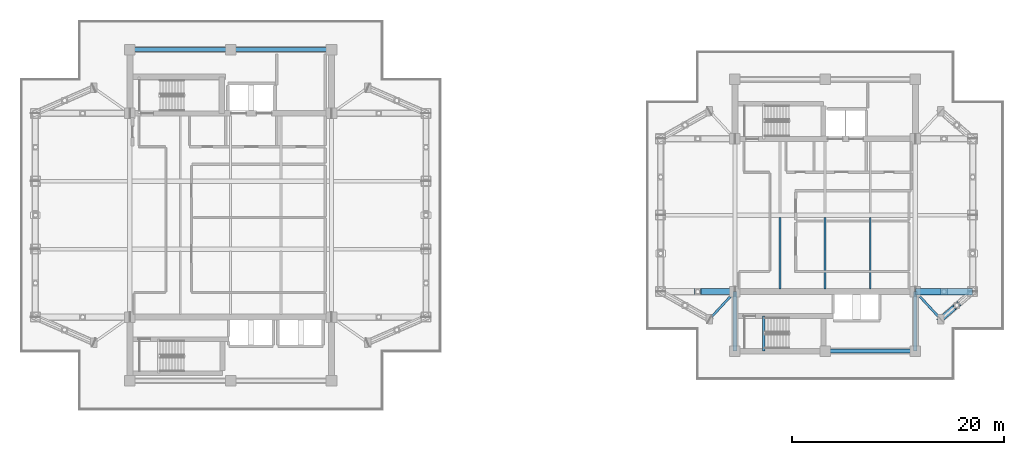
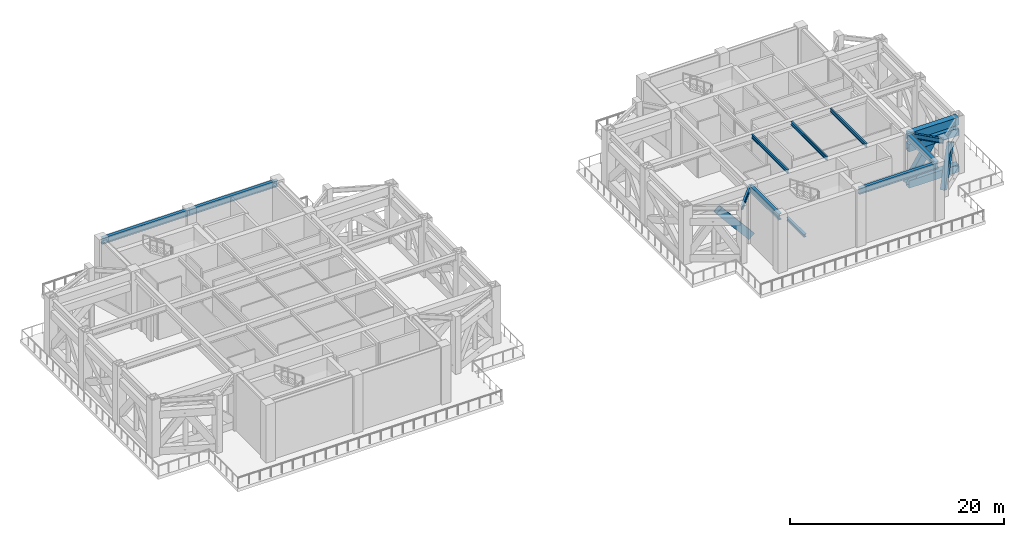
# One storey, part 4 of 18: 12 beams, 5 members.
"""IFC4 building model written with IfcOpenShell, lengths in metres."""

from ifc_helpers import new_model, si_unit, direction, frame, origin, origin_2d, place, context, subcontext, project, spatial, rectangle, hollow_rectangle, i_section, extrude, material, material_profile, profile_set, type_object, element, save


model = new_model("IFC4")

# Units and contexts
model_context = context("Model", 3, precision=1e-05, world=origin(), true_north=direction((0.0, 1.0)))
body_context = subcontext(model_context, "Body", "Model", "MODEL_VIEW")
ifc_project = project(units=[si_unit("LENGTHUNIT", "METRE"), si_unit("AREAUNIT", "SQUARE_METRE"), si_unit("VOLUMEUNIT", "CUBIC_METRE"), si_unit("PLANEANGLEUNIT", "RADIAN"), si_unit("MASSUNIT", "GRAM", prefix="KILO")], contexts=[model_context])

# Site, building, storey
site_placement = place(None, origin())
site = spatial("IfcSite", under=ifc_project, at=site_placement, CompositionType="ELEMENT")
building_placement = place(site_placement, origin())
building = spatial("IfcBuilding", under=site, at=building_placement, Name="Mirazonda Arch Towers", CompositionType="ELEMENT")
storey_placement = place(building_placement, frame((0.0, 0.0, 147.800048828125)))
storey = spatial("IfcBuildingStorey", under=building, at=storey_placement, Name="L42", CompositionType="ELEMENT", Elevation=147.800048828125)

# Beams
ifc_material_1 = material(Name="Steel ASTM A992 Grade 50", Category="steel")
ifc_material_profile_1 = material_profile(ifc_material_1, i_section(OverallWidth=0.257080078125, OverallDepth=0.330078125, WebThickness=0.011962890625, FlangeThickness=0.01953125, at=origin_2d()), Name="W10X68")
ifc_profile_set_1 = profile_set([ifc_material_profile_1], Name="Steel ASTM A992 Grade 50")
beam_type_1 = type_object("IfcBeamType", Name="BM-INT-W10X68", PredefinedType="BEAM", material=ifc_profile_set_1)
beam_1_placement = place(storey_placement, frame((70.719970703125, 15.199951171875, 2.93505859375), z_axis=(0.0, 1.0, 0.0), x_axis=(-1.0, 0.0, 0.0)))
element("IfcBeam", 1, at=beam_1_placement, inside=storey, type_object=beam_type_1, Name="L42 ST-T2S Landing Trimmer Beam", PredefinedType="BEAM", context=body_context, shape_type="SweptSolid", body=[
    extrude(i_section(OverallWidth=0.257080078125, OverallDepth=0.330078125, WebThickness=0.011962890625, FlangeThickness=0.01953125, at=origin_2d()), origin(), (0.0, 0.0, 1.0), 3.300048828125),
])
ifc_material_profile_2 = material_profile(ifc_material_1, i_section(OverallWidth=0.180908203125, OverallDepth=0.4169921875, WebThickness=0.010986328125, FlangeThickness=0.018310546875, at=origin_2d()), Name="W16X57")
ifc_profile_set_2 = profile_set([ifc_material_profile_2], Name="Steel ASTM A992 Grade 50")
beam_type_2 = type_object("IfcBeamType", Name="BM-INT-W16X57", PredefinedType="JOIST", material=ifc_profile_set_2)
for number, where, z_axis, x_axis, name in (
    (2, (72.25, 21.0400390625, 6.19140625), (0.0, 1.0, 0.0), (-1.0, 0.0, 0.0), "L42 Floor Beam BM-T2-L42-J-722-20"),
    (3, (76.5, 21.0400390625, 6.19140625), (0.0, 1.0, 0.0), (-1.0, 0.0, 0.0), "L42 Floor Beam BM-T2-L42-J-765-20"),
    (4, (80.75, 21.0400390625, 6.19140625), (0.0, 1.0, 0.0), (-1.0, 0.0, 0.0), "L42 Floor Beam BM-T2-L42-J-807-20"),
):
    element("IfcBeam", number, at=place(storey_placement, frame(where, z_axis=z_axis, x_axis=x_axis)), inside=storey, type_object=beam_type_2, Name=name, PredefinedType="JOIST", context=body_context, shape_type="SweptSolid", body=[
        extrude(i_section(OverallWidth=0.180908203125, OverallDepth=0.4169921875, WebThickness=0.010986328125, FlangeThickness=0.018310546875, at=origin_2d()), origin(), (0.0, 0.0, 1.0), 6.763916015625),
    ])
ifc_material_profile_3 = material_profile(ifc_material_1, i_section(OverallWidth=0.214111328125, OverallDepth=0.549072265625, WebThickness=0.0146484375, FlangeThickness=0.023681640625, at=origin_2d()), Name="W21X93")
ifc_profile_set_3 = profile_set([ifc_material_profile_3], Name="Steel ASTM A992 Grade 50")
beam_type_3 = type_object("IfcBeamType", Name="BM-INT-W21X93", PredefinedType="BEAM", material=ifc_profile_set_3)
for number, where, z_axis, x_axis, name in (
    (5, (65.60009765625, 18.199951171875, 6.12548828125), (0.678251444854, 0.734829897019, 0.0), (-0.734829897019, 0.678251444854, 0.0), "L42 Floor Beam BM-T2-L42-PL-SW1"),
    (6, (87.39990234375, 18.199951171875, 6.12548828125), (-0.678251444854, 0.734829897019, 0.0), (-0.734829897019, -0.678251444854, 0.0), "L42 Floor Beam BM-T2-L42-PL-SE1"),
):
    element("IfcBeam", number, at=place(storey_placement, frame(where, z_axis=z_axis, x_axis=x_axis)), inside=storey, type_object=beam_type_3, Name=name, PredefinedType="BEAM", context=body_context, shape_type="SweptSolid", body=[
        extrude(i_section(OverallWidth=0.214111328125, OverallDepth=0.549072265625, WebThickness=0.0146484375, FlangeThickness=0.023681640625, at=origin_2d()), origin(), (0.0, 0.0, 1.0), 3.538330078125),
    ])
ifc_material_profile_4 = material_profile(ifc_material_1, i_section(OverallWidth=0.35498046875, OverallDepth=0.696044921875, WebThickness=0.015380859375, FlangeThickness=0.02490234375, at=origin_2d()), Name="W27X146")
ifc_profile_set_4 = profile_set([ifc_material_profile_4], Name="Steel ASTM A992 Grade 50")
beam_type_4 = type_object("IfcBeamType", Name="BM-INT-W27X146", PredefinedType="BEAM", material=ifc_profile_set_4)
for number, where, z_axis, x_axis, name in (
    (7, (11.0, 43.60009765625, 6.052001953125), (1.0, 0.0, 0.0), (0.0, 1.0, 0.0), "L42 Floor Beam BM-T1-L42-CN1"),
    (8, (20.5, 43.60009765625, 6.052001953125), (1.0, 0.0, 0.0), (0.0, 1.0, 0.0), "L42 Floor Beam BM-T1-L42-CN2"),
):
    element("IfcBeam", number, at=place(storey_placement, frame(where, z_axis=z_axis, x_axis=x_axis)), inside=storey, type_object=beam_type_4, Name=name, PredefinedType="BEAM", context=body_context, shape_type="SweptSolid", body=[
        extrude(i_section(OverallWidth=0.35498046875, OverallDepth=0.696044921875, WebThickness=0.015380859375, FlangeThickness=0.02490234375, at=origin_2d()), origin(), (0.0, 0.0, 1.0), 9.5),
    ])
beam_2_placement = place(storey_placement, frame((76.5, 15.199951171875, 6.052001953125), z_axis=(1.0, 0.0, 0.0), x_axis=(0.0, 1.0, 0.0)))
element("IfcBeam", 9, at=beam_2_placement, inside=storey, type_object=beam_type_4, Name="L42 Floor Beam BM-T2-L42-CS2", PredefinedType="BEAM", context=body_context, shape_type="SweptSolid", body=[
    extrude(i_section(OverallWidth=0.35498046875, OverallDepth=0.696044921875, WebThickness=0.015380859375, FlangeThickness=0.02490234375, at=origin_2d()), origin(), (0.0, 0.0, 1.0), 8.5),
])
for number, where, z_axis, x_axis, name in (
    (10, (68.0, 15.199951171875, 6.052001953125), (0.0, 1.0, 0.0), (-1.0, 0.0, 0.0), "L42 Floor Beam BM-T2-L42-CSW"),
    (11, (85.0, 15.199951171875, 6.052001953125), (0.0, 1.0, 0.0), (-1.0, 0.0, 0.0), "L42 Floor Beam BM-T2-L42-CSE"),
):
    element("IfcBeam", number, at=place(storey_placement, frame(where, z_axis=z_axis, x_axis=x_axis)), inside=storey, type_object=beam_type_4, Name=name, PredefinedType="BEAM", context=body_context, shape_type="SweptSolid", body=[
        extrude(i_section(OverallWidth=0.35498046875, OverallDepth=0.696044921875, WebThickness=0.015380859375, FlangeThickness=0.02490234375, at=origin_2d()), origin(), (0.0, 0.0, 1.0), 5.60009765625),
    ])
ifc_material_2 = material(Name="Concrete C50/60", Category="concrete")
ifc_material_profile_5 = material_profile(ifc_material_2, rectangle(XDim=0.60009765625, YDim=0.89990234375, at=origin_2d()), Name="RCCB600x900")
ifc_profile_set_5 = profile_set([ifc_material_profile_5], Name="Concrete C50/60")
beam_type_5 = type_object("IfcBeamType", Name="CB-INT-RCCB600x900", PredefinedType="SPANDREL", material=ifc_profile_set_5)
beam_3_placement = place(storey_placement, frame((85.0, 20.800048828125, 5.949951171875), z_axis=(1.0, 0.0, 0.0), x_axis=(0.0, 1.0, 0.0)))
element("IfcBeam", 12, at=beam_3_placement, inside=storey, type_object=beam_type_5, Name="L42 Floor Beam CB-T2-L42-SE", PredefinedType="SPANDREL", context=body_context, shape_type="SweptSolid", body=[
    extrude(rectangle(XDim=0.60009765625, YDim=0.89990234375, at=origin_2d()), origin(), (0.0, 0.0, 1.0), 5.39990234375),
])

# Members
ifc_material_3 = material(Name="Steel ASTM A572 Grade 50", Category="steel")
ifc_material_profile_6 = material_profile(ifc_material_3, hollow_rectangle(XDim=0.5, YDim=0.699951171875, WallThickness=0.0400390625, at=origin_2d()), Name="BELTDIAG700x500x40")
ifc_profile_set_6 = profile_set([ifc_material_profile_6], Name="Steel ASTM A572 Grade 50")
member_type_1 = type_object("IfcMemberType", Name="MBR-EXT-BELTDIAG700x500x40", PredefinedType="BRACE", material=ifc_profile_set_6)
member_1_placement = place(storey_placement, frame((87.39990234375, 18.199951171875, 0.550048828125), z_axis=(0.324797270569, 0.281501540655, 0.902919495658), x_axis=(-0.654944585876, 0.755676908098, 0.0)))
element("IfcMember", 13, at=member_1_placement, inside=storey, type_object=member_type_1, Name="L42 T2 Wind-Portal Belt Diagonal 06A", PredefinedType="BRACE", context=body_context, shape_type="SweptSolid", body=[
    extrude(hollow_rectangle(XDim=0.5, YDim=0.699951171875, WallThickness=0.0400390625, at=origin_2d()), origin(), (0.0, 0.0, 1.0), 4.6181640625),
])
ifc_material_profile_7 = material_profile(ifc_material_3, hollow_rectangle(XDim=0.60009765625, YDim=0.85009765625, WallThickness=0.048095703125, at=origin_2d()), Name="BELTCHORD850x600x48")
ifc_profile_set_7 = profile_set([ifc_material_profile_7], Name="Steel ASTM A572 Grade 50")
member_type_2 = type_object("IfcMemberType", Name="MBR-INT-BELTCHORD850x600x48", PredefinedType="CHORD", material=ifc_profile_set_7)
for number, where, z_axis, x_axis, name in (
    (14, (85.0, 20.800048828125, 0.550048828125), (1.0, 0.0, 0.0), (0.0, 1.0, 0.0), "L42 T2 Core Outrigger Chord BC02"),
    (15, (85.0, 20.800048828125, 4.719970703125), (1.0, 0.0, 0.0), (0.0, 1.0, 0.0), "L42 T2 Core Outrigger Chord TC02"),
):
    element("IfcMember", number, at=place(storey_placement, frame(where, z_axis=z_axis, x_axis=x_axis)), inside=storey, type_object=member_type_2, Name=name, PredefinedType="CHORD", context=body_context, shape_type="SweptSolid", body=[
        extrude(hollow_rectangle(XDim=0.60009765625, YDim=0.85009765625, WallThickness=0.048095703125, at=origin_2d()), origin(), (0.0, 0.0, 1.0), 5.39990234375),
    ])
ifc_material_profile_8 = material_profile(ifc_material_3, hollow_rectangle(XDim=0.550048828125, YDim=0.800048828125, WallThickness=0.044921875, at=origin_2d()), Name="OUTRIGGER800x550x45")
ifc_profile_set_8 = profile_set([ifc_material_profile_8], Name="Steel ASTM A572 Grade 50")
member_type_3 = type_object("IfcMemberType", Name="MBR-INT-OUTRIGGER800x550x45", PredefinedType="BRACE", material=ifc_profile_set_8)
member_2_placement = place(storey_placement, frame((68.0, 20.800048828125, 0.550048828125), z_axis=(-0.64289755966, 0.0, 0.765952170689), x_axis=(0.0, -1.0, 0.0)))
element("IfcMember", 16, at=member_2_placement, inside=storey, type_object=member_type_3, Name="L42 T2 Core Outrigger Diagonal 01B", PredefinedType="BRACE", context=body_context, shape_type="SweptSolid", body=[
    extrude(hollow_rectangle(XDim=0.550048828125, YDim=0.800048828125, WallThickness=0.044921875, at=origin_2d()), origin(), (0.0, 0.0, 1.0), 5.444091796875),
])
member_3_placement = place(storey_placement, frame((85.0, 20.800048828125, 0.550048828125), z_axis=(0.543501896835, 0.0, 0.839407939048), x_axis=(0.0, 1.0, 0.0)))
element("IfcMember", 17, at=member_3_placement, inside=storey, type_object=member_type_3, Name="L42 T2 Core Outrigger Diagonal 02A", PredefinedType="BRACE", context=body_context, shape_type="SweptSolid", body=[
    extrude(hollow_rectangle(XDim=0.550048828125, YDim=0.800048828125, WallThickness=0.044921875, at=origin_2d()), origin(), (0.0, 0.0, 1.0), 4.9677734375),
])

save(model, "model.ifc")
